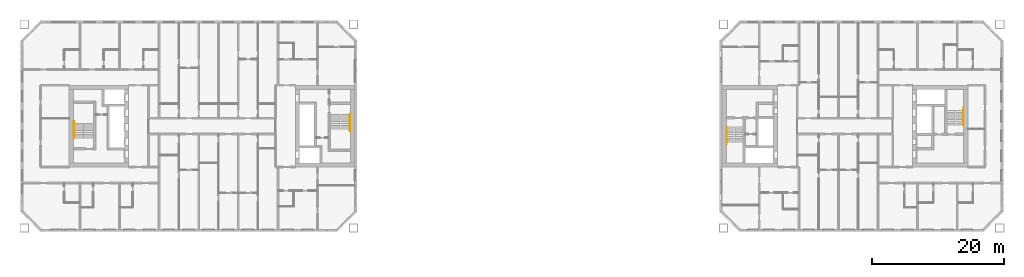
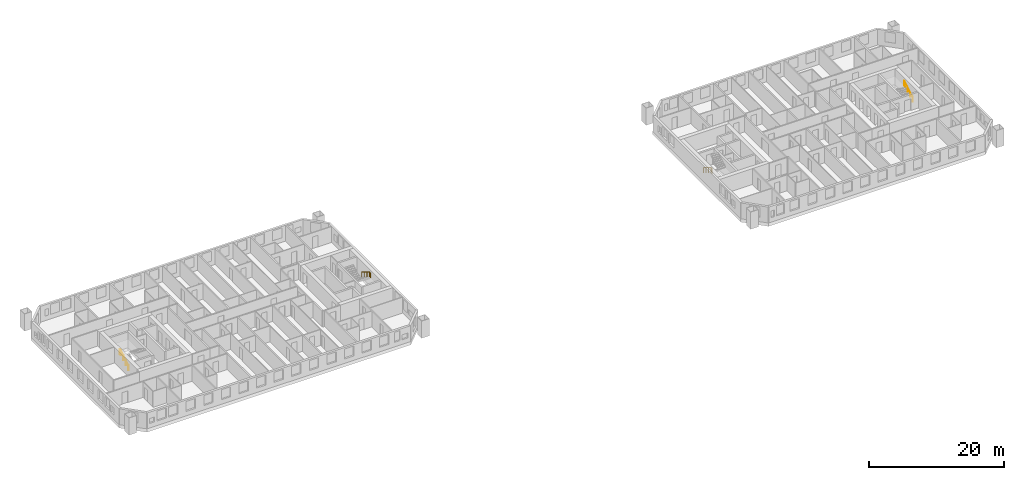
# One storey, part 16 of 16: 4 railings.
"""IFC4 building model written with IfcOpenShell, lengths in metres."""

from ifc_helpers import new_model, si_unit, direction, frame, origin, origin_2d, place, context, subcontext, project, spatial, circle, extrude, material, type_object, element, save


model = new_model("IFC4")

# Units and contexts
model_context = context("Model", 3, precision=1e-05, world=origin(), true_north=direction((0.0, 1.0)))
body_context = subcontext(model_context, "Body", "Model", "MODEL_VIEW")
ifc_project = project(units=[si_unit("LENGTHUNIT", "METRE"), si_unit("AREAUNIT", "SQUARE_METRE"), si_unit("VOLUMEUNIT", "CUBIC_METRE"), si_unit("PLANEANGLEUNIT", "RADIAN"), si_unit("MASSUNIT", "GRAM", prefix="KILO")], contexts=[model_context])

# Site, building, storey
site_placement = place(None, origin())
site = spatial("IfcSite", under=ifc_project, at=site_placement, CompositionType="ELEMENT")
building_placement = place(site_placement, origin())
building = spatial("IfcBuilding", under=site, at=building_placement, Name="Tuart Gate Housing", CompositionType="ELEMENT")
storey_placement = place(building_placement, frame((0.0, 0.0, 96.39990234375)))
storey = spatial("IfcBuildingStorey", under=building, at=storey_placement, Name="L26", CompositionType="ELEMENT", Elevation=96.39990234375)

# Railings
ifc_material = material(Name="Stainless steel", Category="steel")
railing_type = type_object("IfcRailingType", Name="Stair handrail 900", PredefinedType="HANDRAIL", material=ifc_material)
railing_1_placement = place(storey_placement, frame((74.929931640625, 71.800048828125, 0.17236328125)))
element("IfcRailing", 1, at=railing_1_placement, inside=storey, type_object=railing_type, Name="Stair handrail SA1.1", PredefinedType="HANDRAIL", context=body_context, shape_type="SweptSolid", body=[
    extrude(circle(Radius=0.02392578125, at=origin_2d()), frame((0.0, 0.0, 0.8759765625), z_axis=(0.0, -0.85178898068, 0.523885037382), x_axis=(1.0, 0.0, 0.0)), (0.0, 0.0, 1.0), 2.629638671875),
    extrude(circle(Radius=0.02392578125, at=origin_2d()), frame((0.0, -2.239990234375, 2.25341796875), z_axis=(0.0, -1.0, 0.0), x_axis=(1.0, 0.0, 0.0)), (0.0, 0.0, 1.0), 0.300048828125),
    extrude(circle(Radius=0.02099609375, at=origin_2d()), origin(), (0.0, 0.0, 1.0), 0.851806640625),
    extrude(circle(Radius=0.02099609375, at=origin_2d()), frame((0.0, -0.74658203125, 0.459228515625)), (0.0, 0.0, 1.0), 0.851806640625),
    extrude(circle(Radius=0.02099609375, at=origin_2d()), frame((0.0, -1.493408203125, 0.91845703125)), (0.0, 0.0, 1.0), 0.851806640625),
    extrude(circle(Radius=0.02099609375, at=origin_2d()), frame((0.0, -2.239990234375, 1.377685546875)), (0.0, 0.0, 1.0), 0.851806640625),
    extrude(circle(Radius=0.02099609375, at=origin_2d()), frame((0.0, -2.5400390625, 1.377685546875)), (0.0, 0.0, 1.0), 0.851806640625),
])
railing_2_placement = place(storey_placement, frame((33.070068359375, 68.199951171875, 0.17236328125)))
element("IfcRailing", 2, at=railing_2_placement, inside=storey, type_object=railing_type, Name="Stair handrail SA2.1", PredefinedType="HANDRAIL", context=body_context, shape_type="SweptSolid", body=[
    extrude(circle(Radius=0.02392578125, at=origin_2d()), frame((0.0, 0.0, 0.8759765625), z_axis=(0.0, 0.85178898068, 0.523885037382), x_axis=(-1.0, 0.0, 0.0)), (0.0, 0.0, 1.0), 2.629638671875),
    extrude(circle(Radius=0.02392578125, at=origin_2d()), frame((0.0, 2.239990234375, 2.25341796875), z_axis=(0.0, 1.0, 0.0), x_axis=(-1.0, 0.0, 0.0)), (0.0, 0.0, 1.0), 0.300048828125),
    extrude(circle(Radius=0.02099609375, at=origin_2d()), origin(), (0.0, 0.0, 1.0), 0.851806640625),
    extrude(circle(Radius=0.02099609375, at=origin_2d()), frame((0.0, 0.74658203125, 0.459228515625)), (0.0, 0.0, 1.0), 0.851806640625),
    extrude(circle(Radius=0.02099609375, at=origin_2d()), frame((0.0, 1.493408203125, 0.91845703125)), (0.0, 0.0, 1.0), 0.851806640625),
    extrude(circle(Radius=0.02099609375, at=origin_2d()), frame((0.0, 2.239990234375, 1.377685546875)), (0.0, 0.0, 1.0), 0.851806640625),
    extrude(circle(Radius=0.02099609375, at=origin_2d()), frame((0.0, 2.5400390625, 1.377685546875)), (0.0, 0.0, 1.0), 0.851806640625),
])
railing_3_placement = place(storey_placement, frame((132.070068359375, 69.85009765625, 0.17236328125)))
element("IfcRailing", 3, at=railing_3_placement, inside=storey, type_object=railing_type, Name="Stair handrail SB1.1", PredefinedType="HANDRAIL", context=body_context, shape_type="SweptSolid", body=[
    extrude(circle(Radius=0.02392578125, at=origin_2d()), frame((0.0, 0.0, 0.8759765625), z_axis=(0.0, -0.85178898068, 0.523885037382), x_axis=(1.0, 0.0, 0.0)), (0.0, 0.0, 1.0), 2.629638671875),
    extrude(circle(Radius=0.02392578125, at=origin_2d()), frame((0.0, -2.239990234375, 2.25341796875), z_axis=(0.0, -1.0, 0.0), x_axis=(1.0, 0.0, 0.0)), (0.0, 0.0, 1.0), 0.300048828125),
    extrude(circle(Radius=0.02099609375, at=origin_2d()), origin(), (0.0, 0.0, 1.0), 0.851806640625),
    extrude(circle(Radius=0.02099609375, at=origin_2d()), frame((0.0, -0.74658203125, 0.459228515625)), (0.0, 0.0, 1.0), 0.851806640625),
    extrude(circle(Radius=0.02099609375, at=origin_2d()), frame((0.0, -1.493408203125, 0.91845703125)), (0.0, 0.0, 1.0), 0.851806640625),
    extrude(circle(Radius=0.02099609375, at=origin_2d()), frame((0.0, -2.239990234375, 1.377685546875)), (0.0, 0.0, 1.0), 0.851806640625),
    extrude(circle(Radius=0.02099609375, at=origin_2d()), frame((0.0, -2.5400390625, 1.377685546875)), (0.0, 0.0, 1.0), 0.851806640625),
])
railing_4_placement = place(storey_placement, frame((167.929931640625, 70.14990234375, 0.17236328125)))
element("IfcRailing", 4, at=railing_4_placement, inside=storey, type_object=railing_type, Name="Stair handrail SB2.1", PredefinedType="HANDRAIL", context=body_context, shape_type="SweptSolid", body=[
    extrude(circle(Radius=0.02392578125, at=origin_2d()), frame((0.0, 0.0, 0.8759765625), z_axis=(0.0, 0.85178898068, 0.523885037382), x_axis=(-1.0, 0.0, 0.0)), (0.0, 0.0, 1.0), 2.629638671875),
    extrude(circle(Radius=0.02392578125, at=origin_2d()), frame((0.0, 2.239990234375, 2.25341796875), z_axis=(0.0, 1.0, 0.0), x_axis=(-1.0, 0.0, 0.0)), (0.0, 0.0, 1.0), 0.300048828125),
    extrude(circle(Radius=0.02099609375, at=origin_2d()), origin(), (0.0, 0.0, 1.0), 0.851806640625),
    extrude(circle(Radius=0.02099609375, at=origin_2d()), frame((0.0, 0.74658203125, 0.459228515625)), (0.0, 0.0, 1.0), 0.851806640625),
    extrude(circle(Radius=0.02099609375, at=origin_2d()), frame((0.0, 1.493408203125, 0.91845703125)), (0.0, 0.0, 1.0), 0.851806640625),
    extrude(circle(Radius=0.02099609375, at=origin_2d()), frame((0.0, 2.239990234375, 1.377685546875)), (0.0, 0.0, 1.0), 0.851806640625),
    extrude(circle(Radius=0.02099609375, at=origin_2d()), frame((0.0, 2.5400390625, 1.377685546875)), (0.0, 0.0, 1.0), 0.851806640625),
])

save(model, "model.ifc")
